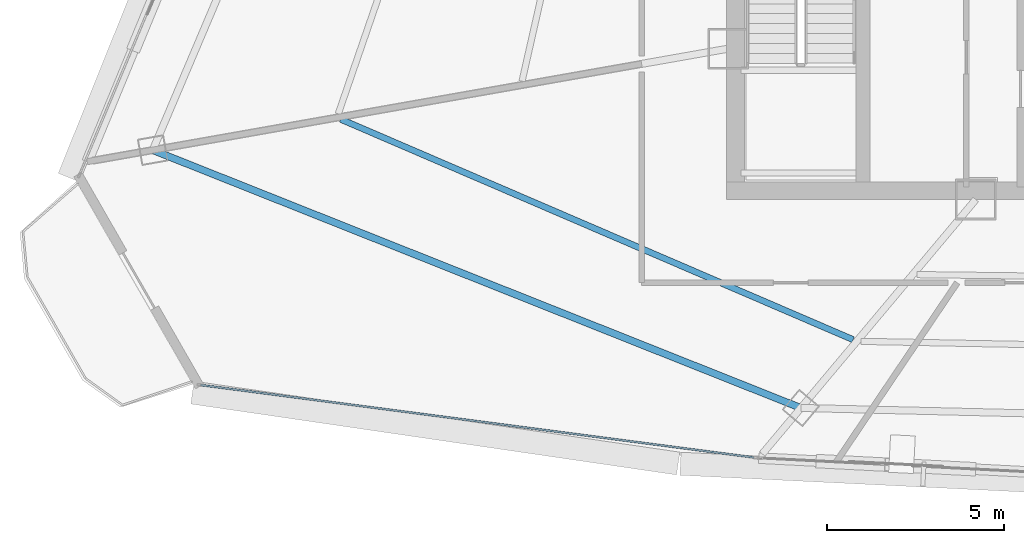
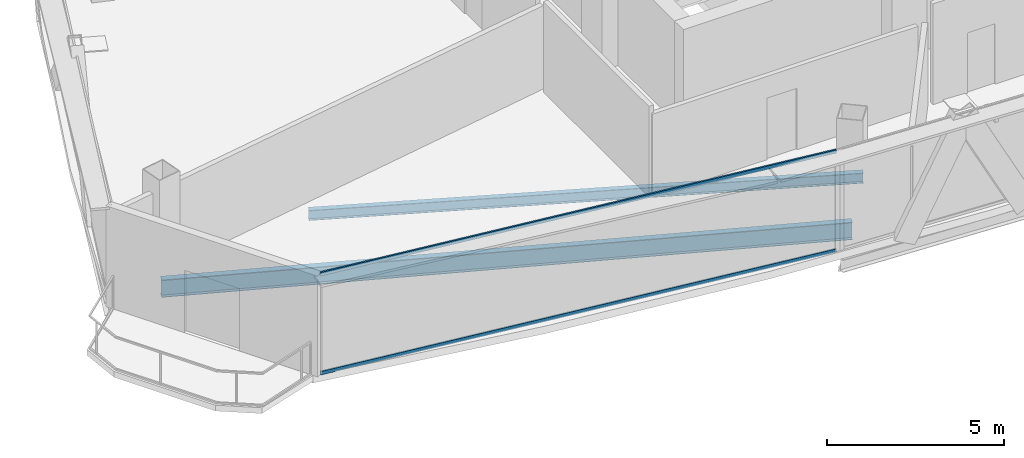
# One storey, part 3 of 33: 2 beams, 2 members, 1 element without a shape of its own.
"""IFC4 building model written with IfcOpenShell, lengths in metres."""

import ifcopenshell
import ifcopenshell.guid

model = None  # the IFC model being written
_history = None  # IfcOwnerHistory: only IFC2X3 demands one
_inside = {}  # id of a spatial element -> (the spatial element, [elements in it])
_under = {}  # id of a project, library or spatial element -> (it, [spatial elements below it])
_declared = {}  # id of a project -> (the project, [libraries it declares])
_typed = {}  # id of a type object -> (the type object, [elements of that type])
_made_of = {}  # id of a material, layer set ... -> (it, [elements and type objects made of it])


def new_model(schema):
    """Start an empty IFC model of exactly this schema.

    Asked for "IFC4X3", IfcOpenShell would pick the latest addendum, in which some entities
    have other attributes; the version numbers below select the first issue.
    IFC2X3 requires an IfcOwnerHistory on every rooted entity: one is made here for all.
    """
    global model, _history
    if schema == "IFC4X3":
        model = ifcopenshell.file(schema_version=(4, 3, 0, 0))
    else:
        model = ifcopenshell.file(schema=schema)
    _inside.clear()
    _under.clear()
    _declared.clear()
    _typed.clear()
    _made_of.clear()
    _history = None
    if model.schema == "IFC2X3":
        org = make("IfcOrganization", Name="unknown")
        user = make(
            "IfcPersonAndOrganization",
            ThePerson=make("IfcPerson", FamilyName="unknown"),
            TheOrganization=org,
        )
        app = make(
            "IfcApplication",
            ApplicationDeveloper=org,
            Version="unknown",
            ApplicationFullName="unknown",
            ApplicationIdentifier="unknown",
        )
        _history = make(
            "IfcOwnerHistory",
            OwningUser=user,
            OwningApplication=app,
            ChangeAction="ADDED",
            CreationDate=0,
        )
    return model


def make(cls, **values):
    """One entity of the class cls with the attributes given. An attribute that is None is left unset."""
    return model.create_entity(
        cls, **{name: value for name, value in values.items() if value is not None}
    )


def rooted(cls, **values):
    """An entity with a GlobalId (a new one), such as an element, a storey or a relation."""
    return make(cls, GlobalId=ifcopenshell.guid.new(), OwnerHistory=_history, **values)


def si_unit(unit_type, name, prefix=None):
    """IfcSIUnit, for example si_unit("LENGTHUNIT", "METRE", prefix="MILLI")."""
    return make("IfcSIUnit", UnitType=unit_type, Prefix=prefix, Name=name)


def assignment(units):
    """IfcUnitAssignment: the units of a project."""
    return None if units is None else make("IfcUnitAssignment", Units=units)


def point(xyz):
    """IfcCartesianPoint."""
    return None if xyz is None else make("IfcCartesianPoint", Coordinates=xyz)


def direction(xyz):
    """IfcDirection."""
    return None if xyz is None else make("IfcDirection", DirectionRatios=xyz)


def frame(location, z_axis=None, x_axis=None):
    """IfcAxis2Placement3D, a coordinate frame: its origin and axes. An axis left out is left unset."""
    return make(
        "IfcAxis2Placement3D",
        Location=point(location),
        Axis=direction(z_axis),
        RefDirection=direction(x_axis),
    )


def frame_2d(location, x_axis=None):
    """IfcAxis2Placement2D, a coordinate frame in the plane: its origin and x axis."""
    return make(
        "IfcAxis2Placement2D", Location=point(location), RefDirection=direction(x_axis)
    )


def origin():
    """The frame at (0, 0, 0) with its axes left unset."""
    return frame((0.0, 0.0, 0.0))


def origin_2d():
    """The frame at (0, 0) in the plane with its x axis left unset."""
    return frame_2d((0.0, 0.0))


def place(relative_to, where):
    """IfcLocalPlacement: puts the frame where relative to a parent placement (None: the world)."""
    return make(
        "IfcLocalPlacement", PlacementRelTo=relative_to, RelativePlacement=where
    )


def context(
    kind, dimensions, precision=None, world=None, true_north=None, identifier=None
):
    """IfcGeometricRepresentationContext, for example the 3D "Model" context."""
    return make(
        "IfcGeometricRepresentationContext",
        ContextIdentifier=identifier,
        ContextType=kind,
        CoordinateSpaceDimension=dimensions,
        Precision=precision,
        WorldCoordinateSystem=world,
        TrueNorth=true_north,
    )


def subcontext(parent, identifier, kind, view, scale=None):
    """IfcGeometricRepresentationSubContext, for example "Body" below "Model"."""
    return make(
        "IfcGeometricRepresentationSubContext",
        ContextIdentifier=identifier,
        ContextType=kind,
        ParentContext=parent,
        TargetScale=scale,
        TargetView=view,
    )


def project(units=None, contexts=None):
    """IfcProject with its units and contexts."""
    return rooted(
        "IfcProject",
        Name="project",
        RepresentationContexts=contexts,
        UnitsInContext=assignment(units),
    )


def spatial(cls, under=None, at=None, **own):
    """A site, building, storey or space (cls), placed at a placement, below another one or the project."""
    s = rooted(cls, ObjectPlacement=at, **own)
    if under is not None:
        _under.setdefault(under.id(), (under, []))[1].append(s)
    return s


def profile(cls, at=None, kind="AREA", **sizes):
    """A parametric profile (cls). Its sizes go by their IFC names, for example OverallWidth=200.0."""
    return make(cls, ProfileType=kind, Position=at, **sizes)


def hollow_rectangle(**sizes):
    """IfcRectangleHollowProfileDef."""
    return profile("IfcRectangleHollowProfileDef", **sizes)


def i_section(**sizes):
    """IfcIShapeProfileDef."""
    return profile("IfcIShapeProfileDef", **sizes)


def extrude(swept, where, along, depth):
    """IfcExtrudedAreaSolid: the profile swept, set in the frame where, extruded along a direction by depth."""
    return make(
        "IfcExtrudedAreaSolid",
        SweptArea=swept,
        Position=where,
        ExtrudedDirection=direction(along),
        Depth=depth,
    )


def shape(context_of_items, identifier, shape_type, items):
    """IfcShapeRepresentation: the items that make up one representation, for example the "Body"."""
    return make(
        "IfcShapeRepresentation",
        ContextOfItems=context_of_items,
        RepresentationIdentifier=identifier,
        RepresentationType=shape_type,
        Items=items,
    )


def source(mapping_origin, context_of_items, identifier, shape_type, items):
    """IfcRepresentationMap: a shape defined once, which mapped items show again and again."""
    return make(
        "IfcRepresentationMap",
        MappingOrigin=mapping_origin,
        MappedRepresentation=shape(context_of_items, identifier, shape_type, items),
    )


def transform(
    local_origin,
    x_axis=None,
    y_axis=None,
    z_axis=None,
    scale=None,
    scale2=None,
    scale3=None,
    uniform=True,
):
    """IfcCartesianTransformationOperator3D, or its non-uniform kind. x_axis, y_axis, z_axis: its Axis1, 2, 3."""
    if uniform:
        return make(
            "IfcCartesianTransformationOperator3D",
            Axis1=direction(x_axis),
            Axis2=direction(y_axis),
            LocalOrigin=point(local_origin),
            Scale=scale,
            Axis3=direction(z_axis),
        )
    return make(
        "IfcCartesianTransformationOperator3DnonUniform",
        Axis1=direction(x_axis),
        Axis2=direction(y_axis),
        LocalOrigin=point(local_origin),
        Scale=scale,
        Axis3=direction(z_axis),
        Scale2=scale2,
        Scale3=scale3,
    )


def mapped(mapping_source, mapping_target):
    """IfcMappedItem: shows the shape of a source again, moved by a transform."""
    return make(
        "IfcMappedItem", MappingSource=mapping_source, MappingTarget=mapping_target
    )


def material(Name=None, Category=None):
    """IfcMaterial."""
    return make("IfcMaterial", Name=Name, Category=Category)


def layer(
    of_material, thickness, ventilated=None, Name=None, Category=None, Priority=None
):
    """IfcMaterialLayer: one layer of a wall or slab, of a material (None: an air gap)."""
    return make(
        "IfcMaterialLayer",
        Material=of_material,
        LayerThickness=thickness,
        IsVentilated=ventilated,
        Name=Name,
        Category=Category,
        Priority=Priority,
    )


def layer_set(layers, Name=None):
    """IfcMaterialLayerSet."""
    return make("IfcMaterialLayerSet", MaterialLayers=layers, LayerSetName=Name)


def material_profile(
    of_material, cross_section, Name=None, Category=None, Priority=None
):
    """IfcMaterialProfile: a cross section and its material."""
    return make(
        "IfcMaterialProfile",
        Name=Name,
        Material=of_material,
        Profile=cross_section,
        Priority=Priority,
        Category=Category,
    )


def profile_set(profiles, Name=None, composite=None):
    """IfcMaterialProfileSet."""
    return make(
        "IfcMaterialProfileSet",
        Name=Name,
        MaterialProfiles=profiles,
        CompositeProfile=composite,
    )


def made_of(thing, what):
    """Note that an element or type object is made of a material, layer set ...; save() writes the relation."""
    if what is not None:
        _made_of.setdefault(what.id(), (what, []))[1].append(thing)
    return thing


def type_object(cls, material=None, **own):
    """A type object (cls), such as IfcWallType, which elements share."""
    return made_of(rooted(cls, **own), material)


def element(
    cls,
    number,
    at=None,
    inside=None,
    cuts=None,
    type_object=None,
    material=None,
    context=None,
    identifier="Body",
    shape_type=None,
    held_by="IfcProductDefinitionShape",
    body=None,
    shapes=None,
    **own,
):
    """One element of the class cls, such as IfcWall. Its Tag is "e" and its number.

    at: its placement. inside: the storey or other place that contains it. cuts: it is an
    opening in that element (IfcRelVoidsElement). A single representation is given by context,
    identifier, shape_type and body (its items); several are given by shapes. held_by: the class
    of the entity that holds the representations. save() writes the other relations.
    """
    e = rooted(cls, Tag="e%d" % number, ObjectPlacement=at, **own)
    if body is not None:
        shapes = [shape(context, identifier, shape_type, body)]
    if shapes is not None:
        e.Representation = make(held_by, Representations=shapes)
    if inside is not None:
        _inside.setdefault(inside.id(), (inside, []))[1].append(e)
    if cuts is not None:
        rooted(
            "IfcRelVoidsElement", RelatingBuildingElement=cuts, RelatedOpeningElement=e
        )
    if type_object is not None:
        _typed.setdefault(type_object.id(), (type_object, []))[1].append(e)
    return made_of(e, material)


def aggregate(whole, parts):
    """IfcRelAggregates: a whole, such as a stair, and the parts it consists of."""
    return rooted("IfcRelAggregates", RelatingObject=whole, RelatedObjects=parts)


def save(model, path):
    """Write the relations noted so far, then the file.

    IfcRelAggregates (storeys below a building ...), IfcRelContainedInSpatialStructure (elements
    in a storey), IfcRelDefinesByType, IfcRelAssociatesMaterial and IfcRelDeclares: one each for
    every whole, place, type object, material and project.
    """
    for whole, parts in _under.values():
        aggregate(whole, parts)
    for where, things in _inside.values():
        rooted(
            "IfcRelContainedInSpatialStructure",
            RelatedElements=things,
            RelatingStructure=where,
        )
    for kind, things in _typed.values():
        rooted("IfcRelDefinesByType", RelatedObjects=things, RelatingType=kind)
    for what, things in _made_of.values():
        rooted("IfcRelAssociatesMaterial", RelatedObjects=things, RelatingMaterial=what)
    for by, libraries in _declared.values():
        rooted("IfcRelDeclares", RelatingContext=by, RelatedDefinitions=libraries)
    model.write(path)


model = new_model("IFC4")

# Units and contexts
model_context = context("Model", 3, precision=1e-05, world=origin(), true_north=direction((0.0, 1.0)))
body_context = subcontext(model_context, "Body", "Model", "MODEL_VIEW")
ifc_project = project(units=[si_unit("LENGTHUNIT", "METRE"), si_unit("AREAUNIT", "SQUARE_METRE"), si_unit("VOLUMEUNIT", "CUBIC_METRE"), si_unit("PLANEANGLEUNIT", "RADIAN"), si_unit("MASSUNIT", "GRAM", prefix="KILO"), si_unit("THERMODYNAMICTEMPERATUREUNIT", "KELVIN"), si_unit("POWERUNIT", "WATT")], contexts=[model_context])

# Site, building, storey
site_placement = place(None, origin())
site = spatial("IfcSite", under=ifc_project, at=site_placement, CompositionType="ELEMENT")
building_placement = place(site_placement, origin())
building = spatial("IfcBuilding", under=site, at=building_placement, Name="Yunzhuo Pagoda Commons", CompositionType="ELEMENT")
storey_placement = place(building_placement, frame((0.0, 0.0, 307.39990234375)))
storey = spatial("IfcBuildingStorey", under=building, at=storey_placement, Name="L77", CompositionType="ELEMENT", Elevation=307.39990234375)

# Beams
ifc_material_1 = material(Name="Structural steel Q355B", Category="steel")
ifc_material_profile_1 = material_profile(ifc_material_1, i_section(OverallWidth=0.199951171875, OverallDepth=0.60009765625, WebThickness=0.010986328125, FlangeThickness=0.01708984375, at=origin_2d()), Name="Structural steel Q355B")
ifc_profile_set_1 = profile_set([ifc_material_profile_1], Name="Structural steel Q355B")
beam_type_1 = type_object("IfcBeamType", Name="B-RG3 Beam HN 600x200x11x17", PredefinedType="BEAM", material=ifc_profile_set_1)
shared_shape_1 = source(origin(), body_context, "Body", "SweptSolid", [
    extrude(i_section(OverallWidth=0.199951171875, OverallDepth=0.60009765625, WebThickness=0.010986328125, FlangeThickness=0.01708984375, at=origin_2d()), origin(), (0.0, 0.0, 1.0), 19.70458984375),
])
beam_1_placement = place(storey_placement, frame((19.33837890625, 28.646240234375, -0.559814453125), z_axis=(0.929153602905, -0.369693903396, 0.0), x_axis=(0.369693903396, 0.929153602905, 0.0)))
element("IfcBeam", 1, at=beam_1_placement, inside=storey, type_object=beam_type_1, Name="L77 column-ring beam 12", PredefinedType="BEAM", context=body_context, shape_type="MappedRepresentation", body=[
    mapped(shared_shape_1, transform((0.0, 0.0, 0.0), scale=1.0)),
])
ifc_material_profile_2 = material_profile(ifc_material_1, i_section(OverallWidth=0.175048828125, OverallDepth=0.35009765625, WebThickness=0.007080078125, FlangeThickness=0.010986328125, at=origin_2d()), Name="Structural steel Q355B")
ifc_profile_set_2 = profile_set([ifc_material_profile_2], Name="Structural steel Q355B")
beam_type_2 = type_object("IfcBeamType", Name="B-JS2 Joist HN 350x175x7x11", PredefinedType="JOIST", material=ifc_profile_set_2)
shared_shape_2 = source(origin(), body_context, "Body", "SweptSolid", [
    extrude(i_section(OverallWidth=0.175048828125, OverallDepth=0.35009765625, WebThickness=0.007080078125, FlangeThickness=0.010986328125, at=origin_2d()), origin(), (0.0, 0.0, 1.0), 15.757568359375),
])
beam_2_placement = place(storey_placement, frame((24.647705078125, 29.5185546875, -0.434814453125), z_axis=(0.918597596679, -0.395194199573, 0.0), x_axis=(0.395194199573, 0.918597596679, 0.0)))
element("IfcBeam", 2, at=beam_2_placement, inside=storey, type_object=beam_type_2, Name="L77 composite ring joist 2.12", PredefinedType="JOIST", context=body_context, shape_type="MappedRepresentation", body=[
    mapped(shared_shape_2, transform((0.0, 0.0, 0.0), scale=1.0)),
])

# Curtain wall, members
ifc_material_2 = material(Name="Anodized aluminium 6063-T6", Category="aluminium")
ifc_layer = layer(ifc_material_2, 0.139892578125)
ifc_layer_set = layer_set([ifc_layer], Name="Anodized aluminium 6063-T6")
curtain_wall_type = type_object("IfcCurtainWallType", Name="CW-HI High-Zone Ribbon Curtain Wall", PredefinedType="NOTDEFINED", material=ifc_layer_set)
curtain_wall_placement = place(storey_placement, origin())
curtain_wall = element("IfcCurtainWall", 3, at=curtain_wall_placement, inside=storey, type_object=curtain_wall_type, Name="L77 curtain wall CW-L77-F1B1", PredefinedType="NOTDEFINED")
ifc_material_profile_3 = material_profile(ifc_material_2, hollow_rectangle(XDim=0.054931640625, YDim=0.1201171875, WallThickness=0.00341796875, at=origin_2d()), Name="Anodized aluminium 6063-T6")
ifc_profile_set_3 = profile_set([ifc_material_profile_3], Name="Anodized aluminium 6063-T6")
member_type = type_object("IfcMemberType", Name="CW-HI-T Transom RHS 120x55x3.5", PredefinedType="USERDEFINED", material=ifc_profile_set_3)
shared_shape_3 = source(origin(), body_context, "Body", "SweptSolid", [
    extrude(hollow_rectangle(XDim=0.054931640625, YDim=0.1201171875, WallThickness=0.00341796875, at=origin_2d()), origin(), (0.0, 0.0, 1.0), 15.765625),
])
member_1_placement = place(storey_placement, frame((20.692626953125, 22.010009765625, 0.027587890625), z_axis=(0.99153396289, -0.129847604661, 0.0), x_axis=(0.129847604661, 0.99153396289, 0.0)))
member_1 = element("IfcMember", 4, at=member_1_placement, type_object=member_type, Name="CW transom 1.1", ObjectType="TRANSOM", PredefinedType="USERDEFINED", context=body_context, shape_type="MappedRepresentation", body=[
    mapped(shared_shape_3, transform((0.0, 0.0, 0.0), scale=1.0)),
])
member_2_placement = place(storey_placement, frame((20.692626953125, 22.010009765625, 3.442626953125), z_axis=(0.99153396289, -0.129847604661, 0.0), x_axis=(0.129847604661, 0.99153396289, 0.0)))
member_2 = element("IfcMember", 5, at=member_2_placement, type_object=member_type, Name="CW transom 1.2", ObjectType="TRANSOM", PredefinedType="USERDEFINED", context=body_context, shape_type="MappedRepresentation", body=[
    mapped(shared_shape_3, transform((0.0, 0.0, 0.0), scale=1.0)),
])
aggregate(curtain_wall, [member_1, member_2])

save(model, "model.ifc")
